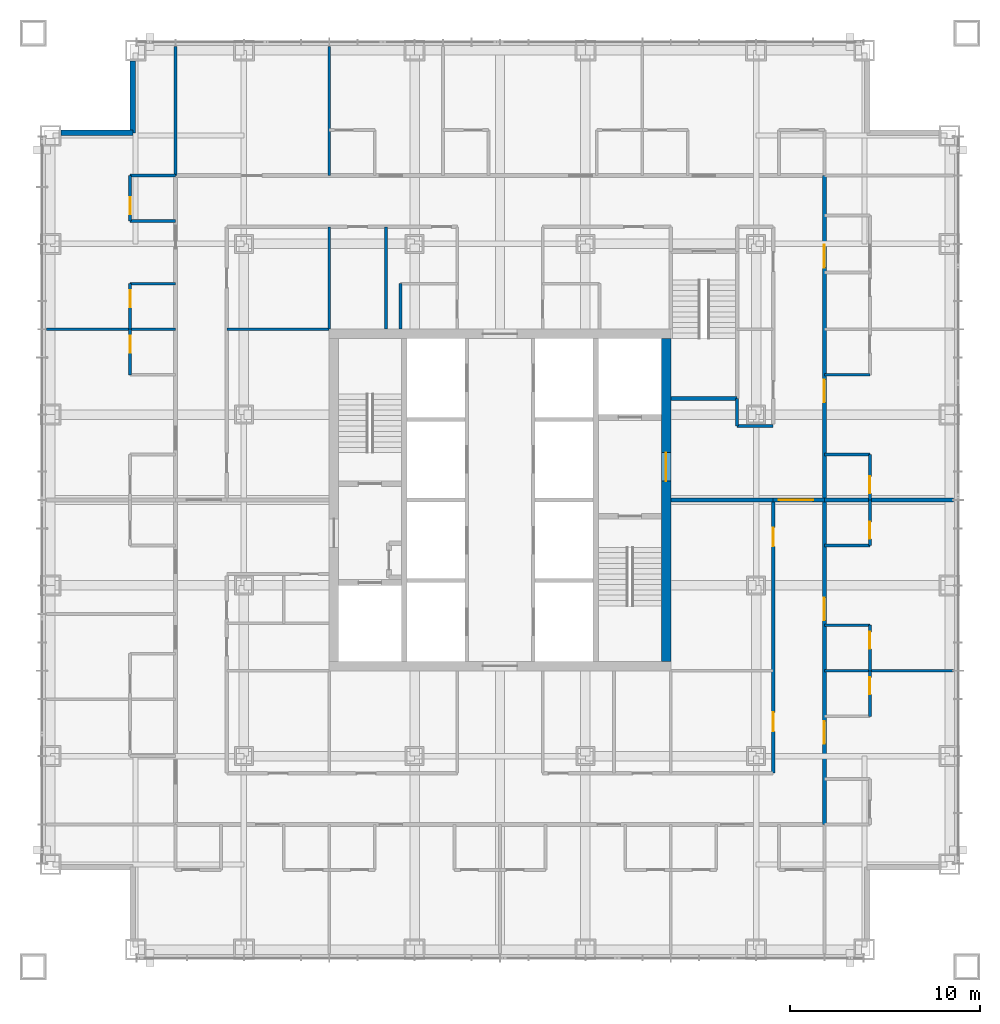
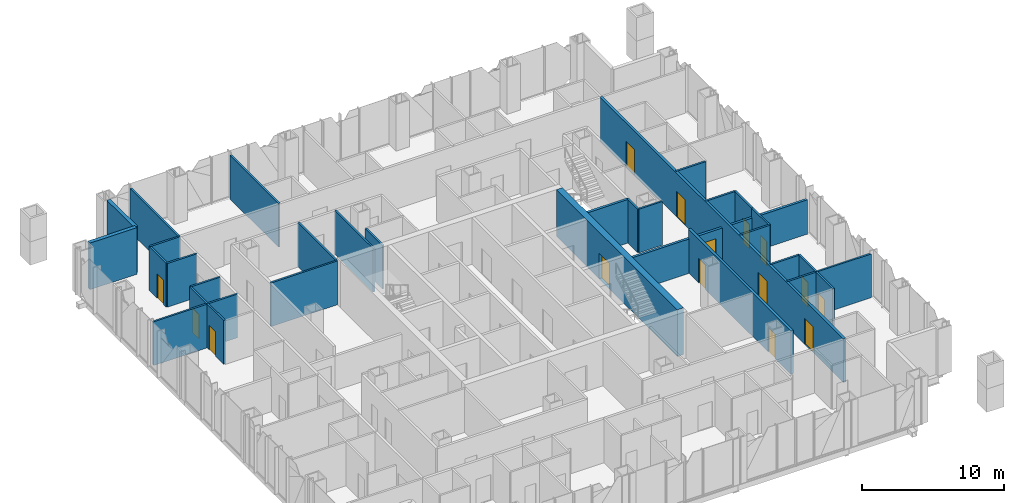
# One storey, part 11 of 23: 33 walls, 15 doors, 15 openings.
"""IFC4 building model written with IfcOpenShell, lengths in metres."""

from ifc_helpers import new_model, si_unit, direction, frame, frame_2d, origin, place, context, subcontext, project, spatial, rectangle, extrude, material, layer, layer_set, type_object, element, fill, save


model = new_model("IFC4")

# Units and contexts
model_context = context("Model", 3, precision=1e-05, world=origin(), true_north=direction((0.0, 1.0)))
body_context = subcontext(model_context, "Body", "Model", "MODEL_VIEW")
ifc_project = project(units=[si_unit("LENGTHUNIT", "METRE"), si_unit("AREAUNIT", "SQUARE_METRE"), si_unit("VOLUMEUNIT", "CUBIC_METRE"), si_unit("PLANEANGLEUNIT", "RADIAN"), si_unit("MASSUNIT", "GRAM", prefix="KILO")], contexts=[model_context])

# Site, building, storey
site_placement = place(None, origin())
site = spatial("IfcSite", under=ifc_project, at=site_placement, CompositionType="ELEMENT")
building_placement = place(site_placement, origin())
building = spatial("IfcBuilding", under=site, at=building_placement, Name="Malebo Sky Hospital", CompositionType="ELEMENT")
storey_placement = place(building_placement, frame((0.0, 0.0, 168.0)))
storey = spatial("IfcBuildingStorey", under=building, at=storey_placement, Name="L40", CompositionType="ELEMENT", Elevation=168.0)

# Wall, opening, door
ifc_material_1 = material(Name="Concrete C80/95", Category="concrete")
ifc_layer_1 = layer(ifc_material_1, 0.5)
ifc_layer_set_1 = layer_set([ifc_layer_1], Name="CORE WALL 500")
wall_type_1 = type_object("IfcWallType", Name="CORE WALL 500", PredefinedType="SHEAR", material=ifc_layer_set_1)
wall_1_placement = place(storey_placement, frame((68.75, 53.5, 0.0), z_axis=(0.0, 0.0, 1.0), x_axis=(0.0, 1.0, 0.0)))
wall_1 = element("IfcWall", 1, at=wall_1_placement, inside=storey, type_object=wall_type_1, Name="Core wall E L40", PredefinedType="SHEAR", context=body_context, shape_type="SweptSolid", body=[
    extrude(rectangle(XDim=17.0, YDim=0.5, at=frame_2d((8.5, 0.0))), origin(), (0.0, 0.0, 1.0), 4.0),
])
opening_1_placement = place(wall_1_placement, frame((9.5, 0.0, 0.0)))
opening_1 = element("IfcOpeningElement", 2, at=opening_1_placement, cuts=wall_1, Name="Opening D07", PredefinedType="OPENING", context=body_context, shape_type="SweptSolid", body=[
    extrude(rectangle(XDim=1.5, YDim=2.199951171875, at=frame_2d((0.75, 1.10009765625))), frame((0.0, 0.260009765625, 0.0), z_axis=(0.0, -1.0, 0.0), x_axis=(1.0, 0.0, 0.0)), (0.0, 0.0, 1.0), 0.52001953125),
])
ifc_material_2 = material(Name="Hardwood-faced door leaf in steel frame", Category="steel")
door_type_1 = type_object("IfcDoorType", Name="FIRE-FIGHTING LOBBY DOOR PAIR 1500", OperationType="DOUBLE_DOOR_SINGLE_SWING", PredefinedType="DOOR", material=ifc_material_2)
door_1_placement = place(opening_1_placement, origin())
door_1 = element("IfcDoor", 3, at=door_1_placement, inside=storey, type_object=door_type_1, Name="Fire-fighting lobby door east", OperationType="DOUBLE_DOOR_SINGLE_SWING", OverallHeight=2.199951171875, OverallWidth=1.5, PredefinedType="DOOR", context=body_context, shape_type="SweptSolid", body=[
    extrude(rectangle(XDim=1.5, YDim=2.199951171875, at=frame_2d((0.75, 1.10009765625))), frame((0.0, 0.02490234375, 0.0), z_axis=(0.0, -1.0, 0.0), x_axis=(1.0, 0.0, 0.0)), (0.0, 0.0, 1.0), 0.050048828125),
])
fill(opening_1, door_1)

# Wall, openings, doors
ifc_material_3 = material(Name="Gypsum board on steel studs", Category="steel")
ifc_layer_2 = layer(ifc_material_3, 0.199951171875)
ifc_layer_set_2 = layer_set([ifc_layer_2], Name="CORRIDOR WALL 200")
wall_type_2 = type_object("IfcWallType", Name="CORRIDOR WALL 200", PredefinedType="PARTITIONING", material=ifc_layer_set_2)
wall_2_placement = place(storey_placement, frame((77.10009765625, 79.10009765625, 0.0), z_axis=(0.0, 0.0, 1.0), x_axis=(0.0, -1.0, 0.0)))
wall_2 = element("IfcWall", 4, at=wall_2_placement, inside=storey, type_object=wall_type_2, Name="Corridor Wall 200 ECO", PredefinedType="PARTITIONING", context=body_context, shape_type="SweptSolid", body=[
    extrude(rectangle(XDim=34.2001953125, YDim=0.199951171875, at=frame_2d((17.10009765625, 0.0))), origin(), (0.0, 0.0, 1.0), 3.75),
])
opening_2_placement = place(wall_2_placement, frame((3.64990234375, 0.0, 0.0)))
opening_2 = element("IfcOpeningElement", 5, at=opening_2_placement, cuts=wall_2, Name="Opening D18", PredefinedType="OPENING", context=body_context, shape_type="SweptSolid", body=[
    extrude(rectangle(XDim=1.199951171875, YDim=2.199951171875, at=frame_2d((0.60009765625, 1.10009765625))), frame((0.0, 0.10986328125, 0.0), z_axis=(0.0, -1.0, 0.0), x_axis=(1.0, 0.0, 0.0)), (0.0, 0.0, 1.0), 0.219970703125),
])
opening_3_placement = place(wall_2_placement, frame((10.75, 0.0, 0.0)))
opening_3 = element("IfcOpeningElement", 6, at=opening_3_placement, cuts=wall_2, Name="Opening D01", PredefinedType="OPENING", context=body_context, shape_type="SweptSolid", body=[
    extrude(rectangle(XDim=1.199951171875, YDim=2.199951171875, at=frame_2d((0.60009765625, 1.10009765625))), frame((0.0, 0.10986328125, 0.0), z_axis=(0.0, -1.0, 0.0), x_axis=(1.0, 0.0, 0.0)), (0.0, 0.0, 1.0), 0.219970703125),
])
opening_4_placement = place(wall_2_placement, frame((22.25, 0.0, 0.0)))
opening_4 = element("IfcOpeningElement", 7, at=opening_4_placement, cuts=wall_2, Name="Opening D01", PredefinedType="OPENING", context=body_context, shape_type="SweptSolid", body=[
    extrude(rectangle(XDim=1.199951171875, YDim=2.199951171875, at=frame_2d((0.60009765625, 1.10009765625))), frame((0.0, 0.10986328125, 0.0), z_axis=(0.0, -1.0, 0.0), x_axis=(1.0, 0.0, 0.0)), (0.0, 0.0, 1.0), 0.219970703125),
])
opening_5_placement = place(wall_2_placement, frame((28.75, 0.0, 0.0)))
opening_5 = element("IfcOpeningElement", 8, at=opening_5_placement, cuts=wall_2, Name="Opening D01", PredefinedType="OPENING", context=body_context, shape_type="SweptSolid", body=[
    extrude(rectangle(XDim=1.199951171875, YDim=2.199951171875, at=frame_2d((0.60009765625, 1.10009765625))), frame((0.0, 0.10986328125, 0.0), z_axis=(0.0, -1.0, 0.0), x_axis=(1.0, 0.0, 0.0)), (0.0, 0.0, 1.0), 0.219970703125),
])
door_type_2 = type_object("IfcDoorType", Name="ANTEROOM DOOR 1200", OperationType="SINGLE_SWING_LEFT", PredefinedType="DOOR", material=ifc_material_2)
door_2_placement = place(opening_2_placement, origin())
door_2 = element("IfcDoor", 9, at=door_2_placement, inside=storey, type_object=door_type_2, Name="Anteroom door", OperationType="SINGLE_SWING_RIGHT", OverallHeight=2.199951171875, OverallWidth=1.199951171875, PredefinedType="DOOR", context=body_context, shape_type="SweptSolid", body=[
    extrude(rectangle(XDim=1.199951171875, YDim=2.199951171875, at=frame_2d((0.60009765625, 1.10009765625))), frame((0.0, 0.02490234375, 0.0), z_axis=(0.0, -1.0, 0.0), x_axis=(1.0, 0.0, 0.0)), (0.0, 0.0, 1.0), 0.050048828125),
])
fill(opening_2, door_2)
door_type_3 = type_object("IfcDoorType", Name="BED DOOR 1200", OperationType="SINGLE_SWING_LEFT", PredefinedType="DOOR", material=ifc_material_2)
door_3_placement = place(opening_3_placement, origin())
door_3 = element("IfcDoor", 10, at=door_3_placement, inside=storey, type_object=door_type_3, Name="Four-bed bay door", OperationType="SINGLE_SWING_LEFT", OverallHeight=2.199951171875, OverallWidth=1.199951171875, PredefinedType="DOOR", context=body_context, shape_type="SweptSolid", body=[
    extrude(rectangle(XDim=1.199951171875, YDim=2.199951171875, at=frame_2d((0.60009765625, 1.10009765625))), frame((0.0, 0.02490234375, 0.0), z_axis=(0.0, -1.0, 0.0), x_axis=(1.0, 0.0, 0.0)), (0.0, 0.0, 1.0), 0.050048828125),
])
fill(opening_3, door_3)
door_4_placement = place(opening_4_placement, origin())
door_4 = element("IfcDoor", 11, at=door_4_placement, inside=storey, type_object=door_type_3, Name="Four-bed bay door", OperationType="SINGLE_SWING_RIGHT", OverallHeight=2.199951171875, OverallWidth=1.199951171875, PredefinedType="DOOR", context=body_context, shape_type="SweptSolid", body=[
    extrude(rectangle(XDim=1.199951171875, YDim=2.199951171875, at=frame_2d((0.60009765625, 1.10009765625))), frame((0.0, 0.02490234375, 0.0), z_axis=(0.0, -1.0, 0.0), x_axis=(1.0, 0.0, 0.0)), (0.0, 0.0, 1.0), 0.050048828125),
])
fill(opening_4, door_4)
door_5_placement = place(opening_5_placement, origin())
door_5 = element("IfcDoor", 12, at=door_5_placement, inside=storey, type_object=door_type_3, Name="Four-bed bay door", OperationType="SINGLE_SWING_LEFT", OverallHeight=2.199951171875, OverallWidth=1.199951171875, PredefinedType="DOOR", context=body_context, shape_type="SweptSolid", body=[
    extrude(rectangle(XDim=1.199951171875, YDim=2.199951171875, at=frame_2d((0.60009765625, 1.10009765625))), frame((0.0, 0.02490234375, 0.0), z_axis=(0.0, -1.0, 0.0), x_axis=(1.0, 0.0, 0.0)), (0.0, 0.0, 1.0), 0.050048828125),
])
fill(opening_5, door_5)

wall_3_placement = place(storey_placement, frame((74.39990234375, 62.0, 0.0), z_axis=(0.0, 0.0, 1.0), x_axis=(0.0, -1.0, 0.0)))
wall_3 = element("IfcWall", 13, at=wall_3_placement, inside=storey, type_object=wall_type_2, Name="Corridor Wall 200 ECI2", PredefinedType="PARTITIONING", context=body_context, shape_type="SweptSolid", body=[
    extrude(rectangle(XDim=14.39990234375, YDim=0.199951171875, at=frame_2d((7.199951171875, 0.0))), origin(), (0.0, 0.0, 1.0), 3.75),
])
opening_6_placement = place(wall_3_placement, frame((1.449951171875, 0.0, 0.0)))
opening_6 = element("IfcOpeningElement", 14, at=opening_6_placement, cuts=wall_3, Name="Opening D03", PredefinedType="OPENING", context=body_context, shape_type="SweptSolid", body=[
    extrude(rectangle(XDim=1.0, YDim=2.10009765625, at=frame_2d((0.5, 1.050048828125))), frame((0.0, 0.10986328125, 0.0), z_axis=(0.0, -1.0, 0.0), x_axis=(1.0, 0.0, 0.0)), (0.0, 0.0, 1.0), 0.219970703125),
])
opening_7_placement = place(wall_3_placement, frame((11.199951171875, 0.0, 0.0)))
opening_7 = element("IfcOpeningElement", 15, at=opening_7_placement, cuts=wall_3, Name="Opening D03", PredefinedType="OPENING", context=body_context, shape_type="SweptSolid", body=[
    extrude(rectangle(XDim=1.0, YDim=2.10009765625, at=frame_2d((0.5, 1.050048828125))), frame((0.0, 0.10986328125, 0.0), z_axis=(0.0, -1.0, 0.0), x_axis=(1.0, 0.0, 0.0)), (0.0, 0.0, 1.0), 0.219970703125),
])
door_type_4 = type_object("IfcDoorType", Name="ROOM DOOR 1000", OperationType="SINGLE_SWING_LEFT", PredefinedType="DOOR", material=ifc_material_2)
door_6_placement = place(opening_6_placement, origin())
door_6 = element("IfcDoor", 16, at=door_6_placement, inside=storey, type_object=door_type_4, Name="Staff rest room door", OperationType="SINGLE_SWING_LEFT", OverallHeight=2.10009765625, OverallWidth=1.0, PredefinedType="DOOR", context=body_context, shape_type="SweptSolid", body=[
    extrude(rectangle(XDim=1.0, YDim=2.10009765625, at=frame_2d((0.5, 1.050048828125))), frame((0.0, 0.02490234375, 0.0), z_axis=(0.0, -1.0, 0.0), x_axis=(1.0, 0.0, 0.0)), (0.0, 0.0, 1.0), 0.050048828125),
])
fill(opening_6, door_6)
door_7_placement = place(opening_7_placement, origin())
door_7 = element("IfcDoor", 17, at=door_7_placement, inside=storey, type_object=door_type_4, Name="Interview room door", OperationType="SINGLE_SWING_RIGHT", OverallHeight=2.10009765625, OverallWidth=1.0, PredefinedType="DOOR", context=body_context, shape_type="SweptSolid", body=[
    extrude(rectangle(XDim=1.0, YDim=2.10009765625, at=frame_2d((0.5, 1.050048828125))), frame((0.0, 0.02490234375, 0.0), z_axis=(0.0, -1.0, 0.0), x_axis=(1.0, 0.0, 0.0)), (0.0, 0.0, 1.0), 0.050048828125),
])
fill(opening_7, door_7)

# Walls
ifc_material_4 = material(Name="Anodised aluminium rainscreen on steel framing", Category="steel")
ifc_layer_3 = layer(ifc_material_4, 0.300048828125)
ifc_layer_set_3 = layer_set([ifc_layer_3], Name="NOTCH RAINSCREEN WALL 300")
wall_type_3 = type_object("IfcWallType", Name="NOTCH RAINSCREEN WALL 300", PredefinedType="ELEMENTEDWALL", material=ifc_layer_set_3)
for number, where, z_axis, x_axis, name in (
    (18, (36.85009765625, 81.35009765625, 0.0), (0.0, 0.0, 1.0), (1.0, 0.0, 0.0), "Notch rainscreen wall W1 L40"),
    (19, (40.64990234375, 81.35009765625, 0.0), (0.0, 0.0, 1.0), (0.0, 1.0, 0.0), "Notch rainscreen wall W2 L40"),
):
    element("IfcWall", number, at=place(storey_placement, frame(where, z_axis=z_axis, x_axis=x_axis)), inside=storey, type_object=wall_type_3, Name=name, PredefinedType="ELEMENTEDWALL", context=body_context, shape_type="SweptSolid", body=[
        extrude(rectangle(XDim=3.7998046875, YDim=0.300048828125, at=frame_2d((1.89990234375, 0.0))), origin(), (0.0, 0.0, 1.0), 4.0),
    ])
ifc_layer_4 = layer(ifc_material_3, 0.14990234375)
ifc_layer_set_4 = layer_set([ifc_layer_4], Name="PARTITION 150")
wall_type_4 = type_object("IfcWallType", Name="PARTITION 150", PredefinedType="PARTITIONING", material=ifc_layer_set_4)
for number, where, z_axis, x_axis, name in (
    (20, (51.0, 79.10009765625, 0.0), (0.0, 0.0, 1.0), (0.0, 1.0, 0.0), "Partition 150 NP-9.0"),
    (21, (42.89990234375, 79.10009765625, 0.0), (0.0, 0.0, 1.0), (0.0, 1.0, 0.0), "Partition 150 NP0"),
):
    element("IfcWall", number, at=place(storey_placement, frame(where, z_axis=z_axis, x_axis=x_axis)), inside=storey, type_object=wall_type_4, Name=name, PredefinedType="PARTITIONING", context=body_context, shape_type="SweptSolid", body=[
        extrude(rectangle(XDim=6.809814453125, YDim=0.14990234375, at=frame_2d((3.40478515625, 0.0))), origin(), (0.0, 0.0, 1.0), 3.75),
    ])
for number, where, z_axis, x_axis, name in (
    (22, (51.0, 71.0, 0.0), (0.0, 0.0, 1.0), (0.0, 1.0, 0.0), "Partition 150 NSP0"),
    (23, (54.0, 71.0, 0.0), (0.0, 0.0, 1.0), (0.0, 1.0, 0.0), "Partition 150 NSP-6.0"),
):
    element("IfcWall", number, at=place(storey_placement, frame(where, z_axis=z_axis, x_axis=x_axis)), inside=storey, type_object=wall_type_4, Name=name, PredefinedType="PARTITIONING", context=body_context, shape_type="SweptSolid", body=[
        extrude(rectangle(XDim=5.39990234375, YDim=0.14990234375, at=frame_2d((2.699951171875, 0.0))), origin(), (0.0, 0.0, 1.0), 3.75),
    ])
wall_4_placement = place(storey_placement, frame((54.75, 71.0, 0.0), z_axis=(0.0, 0.0, 1.0), x_axis=(0.0, 1.0, 0.0)))
element("IfcWall", 24, at=wall_4_placement, inside=storey, type_object=wall_type_4, Name="Partition 150 NSY1", PredefinedType="PARTITIONING", context=body_context, shape_type="SweptSolid", body=[
    extrude(rectangle(XDim=2.39990234375, YDim=0.14990234375, at=frame_2d((1.199951171875, 0.0))), origin(), (0.0, 0.0, 1.0), 3.75),
])
wall_5_placement = place(storey_placement, frame((42.89990234375, 71.0, 0.0), z_axis=(0.0, 0.0, 1.0), x_axis=(-1.0, 0.0, 0.0)))
element("IfcWall", 25, at=wall_5_placement, inside=storey, type_object=wall_type_4, Name="Partition 150 WP+9.0", PredefinedType="PARTITIONING", context=body_context, shape_type="SweptSolid", body=[
    extrude(rectangle(XDim=6.809814453125, YDim=0.14990234375, at=frame_2d((3.40478515625, 0.0))), origin(), (0.0, 0.0, 1.0), 3.75),
])

# Wall, opening, door
wall_6_placement = place(storey_placement, frame((40.5, 68.60009765625, 0.0), z_axis=(0.0, 0.0, 1.0), x_axis=(0.0, 1.0, 0.0)))
wall_6 = element("IfcWall", 26, at=wall_6_placement, inside=storey, type_object=wall_type_4, Name="Partition 150 WG3F", PredefinedType="PARTITIONING", context=body_context, shape_type="SweptSolid", body=[
    extrude(rectangle(XDim=2.39990234375, YDim=0.14990234375, at=frame_2d((1.199951171875, 0.0))), origin(), (0.0, 0.0, 1.0), 3.75),
])
opening_8_placement = place(wall_6_placement, frame((1.14990234375, 0.0, 0.0)))
opening_8 = element("IfcOpeningElement", 27, at=opening_8_placement, cuts=wall_6, Name="Opening D02", PredefinedType="OPENING", context=body_context, shape_type="SweptSolid", body=[
    extrude(rectangle(XDim=0.89990234375, YDim=2.10009765625, at=frame_2d((0.449951171875, 1.050048828125))), frame((0.0, 0.0849609375, 0.0), z_axis=(0.0, -1.0, 0.0), x_axis=(1.0, 0.0, 0.0)), (0.0, 0.0, 1.0), 0.169921875),
])
door_type_5 = type_object("IfcDoorType", Name="EN-SUITE DOOR 900", OperationType="SINGLE_SWING_LEFT", PredefinedType="DOOR", material=ifc_material_2)
door_8_placement = place(opening_8_placement, origin())
door_8 = element("IfcDoor", 28, at=door_8_placement, inside=storey, type_object=door_type_5, Name="En-suite door", OperationType="SINGLE_SWING_RIGHT", OverallHeight=2.10009765625, OverallWidth=0.89990234375, PredefinedType="DOOR", context=body_context, shape_type="SweptSolid", body=[
    extrude(rectangle(XDim=0.89990234375, YDim=2.10009765625, at=frame_2d((0.449951171875, 1.050048828125))), frame((0.0, 0.02490234375, 0.0), z_axis=(0.0, -1.0, 0.0), x_axis=(1.0, 0.0, 0.0)), (0.0, 0.0, 1.0), 0.050048828125),
])
fill(opening_8, door_8)

wall_7_placement = place(storey_placement, frame((40.5, 76.699951171875, 0.0), z_axis=(0.0, 0.0, 1.0), x_axis=(0.0, 1.0, 0.0)))
wall_7 = element("IfcWall", 29, at=wall_7_placement, inside=storey, type_object=wall_type_4, Name="Partition 150 WE4F", PredefinedType="PARTITIONING", context=body_context, shape_type="SweptSolid", body=[
    extrude(rectangle(XDim=2.400146484375, YDim=0.14990234375, at=frame_2d((1.2001953125, 0.0))), origin(), (0.0, 0.0, 1.0), 3.75),
])
opening_9_placement = place(wall_7_placement, frame((0.35009765625, 0.0, 0.0)))
opening_9 = element("IfcOpeningElement", 30, at=opening_9_placement, cuts=wall_7, Name="Opening D02", PredefinedType="OPENING", context=body_context, shape_type="SweptSolid", body=[
    extrude(rectangle(XDim=0.89990234375, YDim=2.10009765625, at=frame_2d((0.449951171875, 1.050048828125))), frame((0.0, 0.0849609375, 0.0), z_axis=(0.0, -1.0, 0.0), x_axis=(1.0, 0.0, 0.0)), (0.0, 0.0, 1.0), 0.169921875),
])
door_9_placement = place(opening_9_placement, origin())
door_9 = element("IfcDoor", 31, at=door_9_placement, inside=storey, type_object=door_type_5, Name="En-suite door", OperationType="SINGLE_SWING_LEFT", OverallHeight=2.10009765625, OverallWidth=0.89990234375, PredefinedType="DOOR", context=body_context, shape_type="SweptSolid", body=[
    extrude(rectangle(XDim=0.89990234375, YDim=2.10009765625, at=frame_2d((0.449951171875, 1.050048828125))), frame((0.0, 0.02490234375, 0.0), z_axis=(0.0, -1.0, 0.0), x_axis=(1.0, 0.0, 0.0)), (0.0, 0.0, 1.0), 0.050048828125),
])
fill(opening_9, door_9)

# Wall
wall_8_placement = place(storey_placement, frame((42.89990234375, 76.699951171875, 0.0), z_axis=(0.0, 0.0, 1.0), x_axis=(-1.0, 0.0, 0.0)))
element("IfcWall", 32, at=wall_8_placement, inside=storey, type_object=wall_type_4, Name="Partition 150 WE4S", PredefinedType="PARTITIONING", context=body_context, shape_type="SweptSolid", body=[
    extrude(rectangle(XDim=2.39990234375, YDim=0.14990234375, at=frame_2d((1.199951171875, 0.0))), origin(), (0.0, 0.0, 1.0), 3.75),
])

# Wall, opening, door
wall_9_placement = place(storey_placement, frame((40.5, 71.0, 0.0), z_axis=(0.0, 0.0, 1.0), x_axis=(0.0, 1.0, 0.0)))
wall_9 = element("IfcWall", 33, at=wall_9_placement, inside=storey, type_object=wall_type_4, Name="Partition 150 WG4F", PredefinedType="PARTITIONING", context=body_context, shape_type="SweptSolid", body=[
    extrude(rectangle(XDim=2.39990234375, YDim=0.14990234375, at=frame_2d((1.199951171875, 0.0))), origin(), (0.0, 0.0, 1.0), 3.75),
])
opening_10_placement = place(wall_9_placement, frame((1.14990234375, 0.0, 0.0)))
opening_10 = element("IfcOpeningElement", 34, at=opening_10_placement, cuts=wall_9, Name="Opening D02", PredefinedType="OPENING", context=body_context, shape_type="SweptSolid", body=[
    extrude(rectangle(XDim=0.89990234375, YDim=2.10009765625, at=frame_2d((0.449951171875, 1.050048828125))), frame((0.0, 0.0849609375, 0.0), z_axis=(0.0, -1.0, 0.0), x_axis=(1.0, 0.0, 0.0)), (0.0, 0.0, 1.0), 0.169921875),
])
door_10_placement = place(opening_10_placement, origin())
door_10 = element("IfcDoor", 35, at=door_10_placement, inside=storey, type_object=door_type_5, Name="En-suite door", OperationType="SINGLE_SWING_RIGHT", OverallHeight=2.10009765625, OverallWidth=0.89990234375, PredefinedType="DOOR", context=body_context, shape_type="SweptSolid", body=[
    extrude(rectangle(XDim=0.89990234375, YDim=2.10009765625, at=frame_2d((0.449951171875, 1.050048828125))), frame((0.0, 0.02490234375, 0.0), z_axis=(0.0, -1.0, 0.0), x_axis=(1.0, 0.0, 0.0)), (0.0, 0.0, 1.0), 0.050048828125),
])
fill(opening_10, door_10)

# Walls
for number, where, z_axis, x_axis, name in (
    (36, (42.89990234375, 73.39990234375, 0.0), (0.0, 0.0, 1.0), (-1.0, 0.0, 0.0), "Partition 150 WG4S"),
    (37, (42.89990234375, 79.10009765625, 0.0), (0.0, 0.0, 1.0), (-1.0, 0.0, 0.0), "Partition 150 WEZ"),
):
    element("IfcWall", number, at=place(storey_placement, frame(where, z_axis=z_axis, x_axis=x_axis)), inside=storey, type_object=wall_type_4, Name=name, PredefinedType="PARTITIONING", context=body_context, shape_type="SweptSolid", body=[
        extrude(rectangle(XDim=2.39990234375, YDim=0.14990234375, at=frame_2d((1.199951171875, 0.0))), origin(), (0.0, 0.0, 1.0), 3.75),
    ])
wall_10_placement = place(storey_placement, frame((51.0, 71.0, 0.0), z_axis=(0.0, 0.0, 1.0), x_axis=(-1.0, 0.0, 0.0)))
element("IfcWall", 38, at=wall_10_placement, inside=storey, type_object=wall_type_4, Name="Partition 150 WSP+9.0", PredefinedType="PARTITIONING", context=body_context, shape_type="SweptSolid", body=[
    extrude(rectangle(XDim=5.39990234375, YDim=0.14990234375, at=frame_2d((2.699951171875, 0.0))), origin(), (0.0, 0.0, 1.0), 3.75),
])
wall_11_placement = place(storey_placement, frame((77.10009765625, 53.0, 0.0), z_axis=(0.0, 0.0, 1.0), x_axis=(1.0, 0.0, 0.0)))
element("IfcWall", 39, at=wall_11_placement, inside=storey, type_object=wall_type_4, Name="Partition 150 EP+9.0", PredefinedType="PARTITIONING", context=body_context, shape_type="SweptSolid", body=[
    extrude(rectangle(XDim=6.809814453125, YDim=0.14990234375, at=frame_2d((3.40478515625, 0.0))), origin(), (0.0, 0.0, 1.0), 3.75),
])
wall_12_placement = place(storey_placement, frame((77.10009765625, 68.60009765625, 0.0), z_axis=(0.0, 0.0, 1.0), x_axis=(1.0, 0.0, 0.0)))
element("IfcWall", 40, at=wall_12_placement, inside=storey, type_object=wall_type_4, Name="Partition 150 EE1S", PredefinedType="PARTITIONING", context=body_context, shape_type="SweptSolid", body=[
    extrude(rectangle(XDim=2.39990234375, YDim=0.14990234375, at=frame_2d((1.199951171875, 0.0))), origin(), (0.0, 0.0, 1.0), 3.75),
])

# Wall, opening, door
wall_13_placement = place(storey_placement, frame((79.5, 64.39990234375, 0.0), z_axis=(0.0, 0.0, 1.0), x_axis=(0.0, -1.0, 0.0)))
wall_13 = element("IfcWall", 41, at=wall_13_placement, inside=storey, type_object=wall_type_4, Name="Partition 150 EG1F", PredefinedType="PARTITIONING", context=body_context, shape_type="SweptSolid", body=[
    extrude(rectangle(XDim=2.39990234375, YDim=0.14990234375, at=frame_2d((1.199951171875, 0.0))), origin(), (0.0, 0.0, 1.0), 3.75),
])
opening_11_placement = place(wall_13_placement, frame((1.14990234375, 0.0, 0.0)))
opening_11 = element("IfcOpeningElement", 42, at=opening_11_placement, cuts=wall_13, Name="Opening D02", PredefinedType="OPENING", context=body_context, shape_type="SweptSolid", body=[
    extrude(rectangle(XDim=0.89990234375, YDim=2.10009765625, at=frame_2d((0.449951171875, 1.050048828125))), frame((0.0, 0.0849609375, 0.0), z_axis=(0.0, -1.0, 0.0), x_axis=(1.0, 0.0, 0.0)), (0.0, 0.0, 1.0), 0.169921875),
])
door_11_placement = place(opening_11_placement, origin())
door_11 = element("IfcDoor", 43, at=door_11_placement, inside=storey, type_object=door_type_5, Name="En-suite door", OperationType="SINGLE_SWING_RIGHT", OverallHeight=2.10009765625, OverallWidth=0.89990234375, PredefinedType="DOOR", context=body_context, shape_type="SweptSolid", body=[
    extrude(rectangle(XDim=0.89990234375, YDim=2.10009765625, at=frame_2d((0.449951171875, 1.050048828125))), frame((0.0, 0.02490234375, 0.0), z_axis=(0.0, -1.0, 0.0), x_axis=(1.0, 0.0, 0.0)), (0.0, 0.0, 1.0), 0.050048828125),
])
fill(opening_11, door_11)

# Wall
wall_14_placement = place(storey_placement, frame((77.10009765625, 64.39990234375, 0.0), z_axis=(0.0, 0.0, 1.0), x_axis=(1.0, 0.0, 0.0)))
element("IfcWall", 44, at=wall_14_placement, inside=storey, type_object=wall_type_4, Name="Partition 150 EG1S", PredefinedType="PARTITIONING", context=body_context, shape_type="SweptSolid", body=[
    extrude(rectangle(XDim=2.39990234375, YDim=0.14990234375, at=frame_2d((1.199951171875, 0.0))), origin(), (0.0, 0.0, 1.0), 3.75),
])

# Wall, opening, door
wall_15_placement = place(storey_placement, frame((79.5, 55.39990234375, 0.0), z_axis=(0.0, 0.0, 1.0), x_axis=(0.0, -1.0, 0.0)))
wall_15 = element("IfcWall", 45, at=wall_15_placement, inside=storey, type_object=wall_type_4, Name="Partition 150 EE2F", PredefinedType="PARTITIONING", context=body_context, shape_type="SweptSolid", body=[
    extrude(rectangle(XDim=2.39990234375, YDim=0.14990234375, at=frame_2d((1.199951171875, 0.0))), origin(), (0.0, 0.0, 1.0), 3.75),
])
opening_12_placement = place(wall_15_placement, frame((0.35009765625, 0.0, 0.0)))
opening_12 = element("IfcOpeningElement", 46, at=opening_12_placement, cuts=wall_15, Name="Opening D02", PredefinedType="OPENING", context=body_context, shape_type="SweptSolid", body=[
    extrude(rectangle(XDim=0.89990234375, YDim=2.10009765625, at=frame_2d((0.449951171875, 1.050048828125))), frame((0.0, 0.0849609375, 0.0), z_axis=(0.0, -1.0, 0.0), x_axis=(1.0, 0.0, 0.0)), (0.0, 0.0, 1.0), 0.169921875),
])
door_12_placement = place(opening_12_placement, origin())
door_12 = element("IfcDoor", 47, at=door_12_placement, inside=storey, type_object=door_type_5, Name="En-suite door", OperationType="SINGLE_SWING_LEFT", OverallHeight=2.10009765625, OverallWidth=0.89990234375, PredefinedType="DOOR", context=body_context, shape_type="SweptSolid", body=[
    extrude(rectangle(XDim=0.89990234375, YDim=2.10009765625, at=frame_2d((0.449951171875, 1.050048828125))), frame((0.0, 0.02490234375, 0.0), z_axis=(0.0, -1.0, 0.0), x_axis=(1.0, 0.0, 0.0)), (0.0, 0.0, 1.0), 0.050048828125),
])
fill(opening_12, door_12)

# Wall
wall_16_placement = place(storey_placement, frame((77.10009765625, 55.39990234375, 0.0), z_axis=(0.0, 0.0, 1.0), x_axis=(1.0, 0.0, 0.0)))
element("IfcWall", 48, at=wall_16_placement, inside=storey, type_object=wall_type_4, Name="Partition 150 EE2S", PredefinedType="PARTITIONING", context=body_context, shape_type="SweptSolid", body=[
    extrude(rectangle(XDim=2.39990234375, YDim=0.14990234375, at=frame_2d((1.199951171875, 0.0))), origin(), (0.0, 0.0, 1.0), 3.75),
])

# Wall, opening, door
wall_17_placement = place(storey_placement, frame((79.5, 62.0, 0.0), z_axis=(0.0, 0.0, 1.0), x_axis=(0.0, -1.0, 0.0)))
wall_17 = element("IfcWall", 49, at=wall_17_placement, inside=storey, type_object=wall_type_4, Name="Partition 150 EG2F", PredefinedType="PARTITIONING", context=body_context, shape_type="SweptSolid", body=[
    extrude(rectangle(XDim=2.39990234375, YDim=0.14990234375, at=frame_2d((1.199951171875, 0.0))), origin(), (0.0, 0.0, 1.0), 3.75),
])
opening_13_placement = place(wall_17_placement, frame((1.14990234375, 0.0, 0.0)))
opening_13 = element("IfcOpeningElement", 50, at=opening_13_placement, cuts=wall_17, Name="Opening D02", PredefinedType="OPENING", context=body_context, shape_type="SweptSolid", body=[
    extrude(rectangle(XDim=0.89990234375, YDim=2.10009765625, at=frame_2d((0.449951171875, 1.050048828125))), frame((0.0, 0.0849609375, 0.0), z_axis=(0.0, -1.0, 0.0), x_axis=(1.0, 0.0, 0.0)), (0.0, 0.0, 1.0), 0.169921875),
])
door_13_placement = place(opening_13_placement, origin())
door_13 = element("IfcDoor", 51, at=door_13_placement, inside=storey, type_object=door_type_5, Name="En-suite door", OperationType="SINGLE_SWING_RIGHT", OverallHeight=2.10009765625, OverallWidth=0.89990234375, PredefinedType="DOOR", context=body_context, shape_type="SweptSolid", body=[
    extrude(rectangle(XDim=0.89990234375, YDim=2.10009765625, at=frame_2d((0.449951171875, 1.050048828125))), frame((0.0, 0.02490234375, 0.0), z_axis=(0.0, -1.0, 0.0), x_axis=(1.0, 0.0, 0.0)), (0.0, 0.0, 1.0), 0.050048828125),
])
fill(opening_13, door_13)

# Wall
wall_18_placement = place(storey_placement, frame((77.10009765625, 59.60009765625, 0.0), z_axis=(0.0, 0.0, 1.0), x_axis=(1.0, 0.0, 0.0)))
element("IfcWall", 52, at=wall_18_placement, inside=storey, type_object=wall_type_4, Name="Partition 150 EG2S", PredefinedType="PARTITIONING", context=body_context, shape_type="SweptSolid", body=[
    extrude(rectangle(XDim=2.39990234375, YDim=0.14990234375, at=frame_2d((1.199951171875, 0.0))), origin(), (0.0, 0.0, 1.0), 3.75),
])

# Wall, opening, door
wall_19_placement = place(storey_placement, frame((79.5, 53.0, 0.0), z_axis=(0.0, 0.0, 1.0), x_axis=(0.0, -1.0, 0.0)))
wall_19 = element("IfcWall", 53, at=wall_19_placement, inside=storey, type_object=wall_type_4, Name="Partition 150 EE3F", PredefinedType="PARTITIONING", context=body_context, shape_type="SweptSolid", body=[
    extrude(rectangle(XDim=2.39990234375, YDim=0.14990234375, at=frame_2d((1.199951171875, 0.0))), origin(), (0.0, 0.0, 1.0), 3.75),
])
opening_14_placement = place(wall_19_placement, frame((0.35009765625, 0.0, 0.0)))
opening_14 = element("IfcOpeningElement", 54, at=opening_14_placement, cuts=wall_19, Name="Opening D02", PredefinedType="OPENING", context=body_context, shape_type="SweptSolid", body=[
    extrude(rectangle(XDim=0.89990234375, YDim=2.10009765625, at=frame_2d((0.449951171875, 1.050048828125))), frame((0.0, 0.0849609375, 0.0), z_axis=(0.0, -1.0, 0.0), x_axis=(1.0, 0.0, 0.0)), (0.0, 0.0, 1.0), 0.169921875),
])
door_14_placement = place(opening_14_placement, origin())
door_14 = element("IfcDoor", 55, at=door_14_placement, inside=storey, type_object=door_type_5, Name="En-suite door", OperationType="SINGLE_SWING_LEFT", OverallHeight=2.10009765625, OverallWidth=0.89990234375, PredefinedType="DOOR", context=body_context, shape_type="SweptSolid", body=[
    extrude(rectangle(XDim=0.89990234375, YDim=2.10009765625, at=frame_2d((0.449951171875, 1.050048828125))), frame((0.0, 0.02490234375, 0.0), z_axis=(0.0, -1.0, 0.0), x_axis=(1.0, 0.0, 0.0)), (0.0, 0.0, 1.0), 0.050048828125),
])
fill(opening_14, door_14)

# Walls
wall_20_placement = place(storey_placement, frame((72.5, 65.89990234375, 0.0), z_axis=(0.0, 0.0, 1.0), x_axis=(1.0, 0.0, 0.0)))
element("IfcWall", 56, at=wall_20_placement, inside=storey, type_object=wall_type_4, Name="Partition 150 ESPA", PredefinedType="PARTITIONING", context=body_context, shape_type="SweptSolid", body=[
    extrude(rectangle(XDim=1.89990234375, YDim=0.14990234375, at=frame_2d((0.949951171875, 0.0))), origin(), (0.0, 0.0, 1.0), 3.75),
])
wall_21_placement = place(storey_placement, frame((72.5, 65.89990234375, 0.0), z_axis=(0.0, 0.0, 1.0), x_axis=(0.0, 1.0, 0.0)))
element("IfcWall", 57, at=wall_21_placement, inside=storey, type_object=wall_type_4, Name="Partition 150 ST3C", PredefinedType="PARTITIONING", context=body_context, shape_type="SweptSolid", body=[
    extrude(rectangle(XDim=1.4501953125, YDim=0.14990234375, at=frame_2d((0.72509765625, 0.0))), origin(), (0.0, 0.0, 1.0), 3.75),
])
ifc_material_5 = material(Name="Concrete blockwork", Category="masonry")
ifc_layer_5 = layer(ifc_material_5, 0.199951171875)
ifc_layer_set_5 = layer_set([ifc_layer_5], Name="SMOKE BARRIER WALL 200")
wall_type_5 = type_object("IfcWallType", Name="SMOKE BARRIER WALL 200", PredefinedType="SOLIDWALL", material=ifc_layer_set_5)
wall_22_placement = place(storey_placement, frame((77.10009765625, 62.0, 0.0), z_axis=(0.0, 0.0, 1.0), x_axis=(1.0, 0.0, 0.0)))
element("IfcWall", 58, at=wall_22_placement, inside=storey, type_object=wall_type_5, Name="Smoke Barrier Wall 200 EP+0.0", PredefinedType="SOLIDWALL", context=body_context, shape_type="SweptSolid", body=[
    extrude(rectangle(XDim=6.809814453125, YDim=0.199951171875, at=frame_2d((3.40478515625, 0.0))), origin(), (0.0, 0.0, 1.0), 2.949951171875),
])
wall_23_placement = place(storey_placement, frame((69.0, 62.0, 0.0), z_axis=(0.0, 0.0, 1.0), x_axis=(1.0, 0.0, 0.0)))
element("IfcWall", 59, at=wall_23_placement, inside=storey, type_object=wall_type_5, Name="Smoke Barrier Wall 200 ESPB", PredefinedType="SOLIDWALL", context=body_context, shape_type="SweptSolid", body=[
    extrude(rectangle(XDim=5.39990234375, YDim=0.199951171875, at=frame_2d((2.699951171875, 0.0))), origin(), (0.0, 0.0, 1.0), 2.949951171875),
])

# Wall, opening, door
wall_24_placement = place(storey_placement, frame((74.39990234375, 62.0, 0.0), z_axis=(0.0, 0.0, 1.0), x_axis=(1.0, 0.0, 0.0)))
wall_24 = element("IfcWall", 60, at=wall_24_placement, inside=storey, type_object=wall_type_5, Name="Smoke Barrier Wall 200 ESB", PredefinedType="SOLIDWALL", context=body_context, shape_type="SweptSolid", body=[
    extrude(rectangle(XDim=2.7001953125, YDim=0.199951171875, at=frame_2d((1.35009765625, 0.0))), origin(), (0.0, 0.0, 1.0), 2.949951171875),
])
opening_15_placement = place(wall_24_placement, frame((0.300048828125, 0.0, 0.0)))
opening_15 = element("IfcOpeningElement", 61, at=opening_15_placement, cuts=wall_24, Name="Opening D05", PredefinedType="OPENING", context=body_context, shape_type="SweptSolid", body=[
    extrude(rectangle(XDim=1.800048828125, YDim=2.199951171875, at=frame_2d((0.89990234375, 1.10009765625))), frame((0.0, 0.10986328125, 0.0), z_axis=(0.0, -1.0, 0.0), x_axis=(1.0, 0.0, 0.0)), (0.0, 0.0, 1.0), 0.219970703125),
])
door_type_6 = type_object("IfcDoorType", Name="SMOKE DOOR PAIR 1800", OperationType="DOUBLE_DOOR_DOUBLE_SWING", PredefinedType="DOOR", material=ifc_material_2)
door_15_placement = place(opening_15_placement, origin())
door_15 = element("IfcDoor", 62, at=door_15_placement, inside=storey, type_object=door_type_6, Name="Smoke compartment door pair", OperationType="DOUBLE_DOOR_DOUBLE_SWING", OverallHeight=2.199951171875, OverallWidth=1.800048828125, PredefinedType="DOOR", context=body_context, shape_type="SweptSolid", body=[
    extrude(rectangle(XDim=1.800048828125, YDim=2.199951171875, at=frame_2d((0.89990234375, 1.10009765625))), frame((0.0, 0.02490234375, 0.0), z_axis=(0.0, -1.0, 0.0), x_axis=(1.0, 0.0, 0.0)), (0.0, 0.0, 1.0), 0.050048828125),
])
fill(opening_15, door_15)

# Wall
ifc_material_6 = material(Name="Concrete C40/50", Category="concrete")
ifc_layer_6 = layer(ifc_material_6, 0.199951171875)
ifc_layer_set_6 = layer_set([ifc_layer_6], Name="STAIR ENCLOSURE WALL 200")
wall_type_6 = type_object("IfcWallType", Name="STAIR ENCLOSURE WALL 200", PredefinedType="SOLIDWALL", material=ifc_layer_set_6)
wall_25_placement = place(storey_placement, frame((69.0, 67.35009765625, 0.0), z_axis=(0.0, 0.0, 1.0), x_axis=(1.0, 0.0, 0.0)))
element("IfcWall", 63, at=wall_25_placement, inside=storey, type_object=wall_type_6, Name="Stair Enclosure Wall 200 ST3S", PredefinedType="SOLIDWALL", context=body_context, shape_type="SweptSolid", body=[
    extrude(rectangle(XDim=3.5, YDim=0.199951171875, at=frame_2d((1.75, 0.0))), origin(), (0.0, 0.0, 1.0), 3.75),
])

save(model, "model.ifc")
